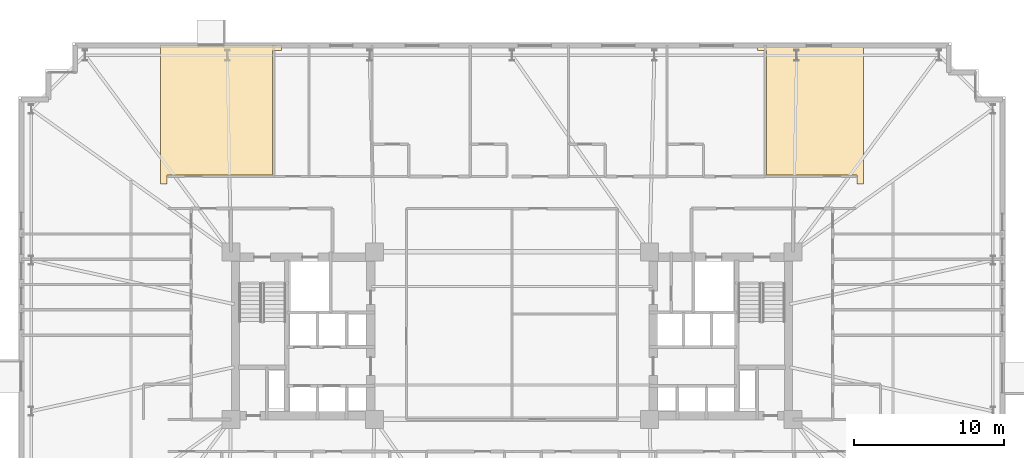
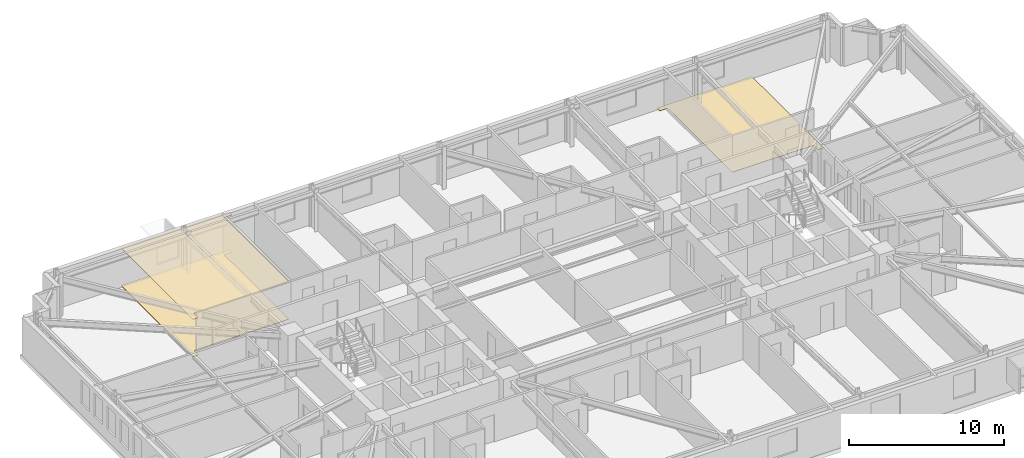
# One storey, part 22 of 22: 3 coverings.
"""IFC4 building model written with IfcOpenShell, lengths in metres."""

from ifc_helpers import new_model, si_unit, direction, frame, origin, place, context, subcontext, project, spatial, polyline, outline, extrude, material, layer, layer_set, type_object, element, save


model = new_model("IFC4")

# Units and contexts
model_context = context("Model", 3, precision=1e-05, world=origin(), true_north=direction((0.0, 1.0)))
body_context = subcontext(model_context, "Body", "Model", "MODEL_VIEW")
ifc_project = project(units=[si_unit("LENGTHUNIT", "METRE"), si_unit("AREAUNIT", "SQUARE_METRE"), si_unit("VOLUMEUNIT", "CUBIC_METRE"), si_unit("PLANEANGLEUNIT", "RADIAN"), si_unit("MASSUNIT", "GRAM", prefix="KILO")], contexts=[model_context])

# Site, building, storey
site_placement = place(None, origin())
site = spatial("IfcSite", under=ifc_project, at=site_placement, CompositionType="ELEMENT")
building_placement = place(site_placement, origin())
building = spatial("IfcBuilding", under=site, at=building_placement, Name="Qobustan Lattice House", CompositionType="ELEMENT")
storey_placement = place(building_placement, frame((0.0, 0.0, 33.699951171875)))
storey = spatial("IfcBuildingStorey", under=building, at=storey_placement, Name="L08", CompositionType="ELEMENT", Elevation=33.699951171875)

# Coverings
ifc_material_1 = material(Name="Perforated gypsum acoustic ceiling", Category="gypsum")
ifc_layer_1 = layer(ifc_material_1, 0.030029296875)
ifc_layer_set_1 = layer_set([ifc_layer_1], Name="Perforated gypsum acoustic ceiling")
covering_type_1 = type_object("IfcCoveringType", Name="COV-ACOUSTIC-CEIL", PredefinedType="CEILING", material=ifc_layer_set_1)
covering_1_placement = place(storey_placement, frame((0.0, 0.0, 2.945068359375)))
element("IfcCovering", 1, at=covering_1_placement, inside=storey, type_object=covering_type_1, Name="L08 Focus study room N1 acoustic ceiling", PredefinedType="CEILING", context=body_context, shape_type="SweptSolid", body=[
    extrude(outline(polyline([(-15.428955078125, 19.429931640625), (-23.5, 19.429931640625), (-23.5, 10.14990234375), (-23.080078125, 10.14990234375), (-23.080078125, 10.72998046875), (-16.009033203125, 10.72998046875), (-16.009033203125, 19.06005859375), (-15.428955078125, 19.06005859375), (-15.428955078125, 19.429931640625)])), origin(), (0.0, 0.0, 1.0), 0.030029296875),
])
ifc_material_2 = material(Name="Honed Absheron stone terrazzo flooring", Category="masonry")
ifc_layer_2 = layer(ifc_material_2, 0.02490234375)
ifc_layer_set_2 = layer_set([ifc_layer_2], Name="Honed Absheron stone terrazzo flooring")
covering_type_2 = type_object("IfcCoveringType", Name="COV-TERRAZZO-FLR", PredefinedType="FLOORING", material=ifc_layer_set_2)
covering_2_placement = place(storey_placement, origin())
element("IfcCovering", 2, at=covering_2_placement, inside=storey, type_object=covering_type_2, Name="L08 Focus study room N1 stone terrazzo flooring", PredefinedType="FLOORING", context=body_context, shape_type="SweptSolid", body=[
    extrude(outline(polyline([(-15.428955078125, 19.429931640625), (-23.5, 19.429931640625), (-23.5, 10.14990234375), (-23.080078125, 10.14990234375), (-23.080078125, 10.72998046875), (-16.009033203125, 10.72998046875), (-16.009033203125, 19.06005859375), (-15.428955078125, 19.06005859375), (-15.428955078125, 19.429931640625)])), origin(), (0.0, 0.0, 1.0), 0.025146484375),
])
covering_3_placement = place(storey_placement, origin())
element("IfcCovering", 3, at=covering_3_placement, inside=storey, type_object=covering_type_2, Name="L08 Focus study room N7 stone terrazzo flooring", PredefinedType="FLOORING", context=body_context, shape_type="SweptSolid", body=[
    extrude(outline(polyline([(16.428955078125, 19.429931640625), (16.428955078125, 19.06005859375), (17.009033203125, 19.06005859375), (17.009033203125, 10.72998046875), (23.080078125, 10.72998046875), (23.080078125, 10.14990234375), (23.5, 10.14990234375), (23.5, 19.429931640625), (16.428955078125, 19.429931640625)])), origin(), (0.0, 0.0, 1.0), 0.025146484375),
])

save(model, "model.ifc")
